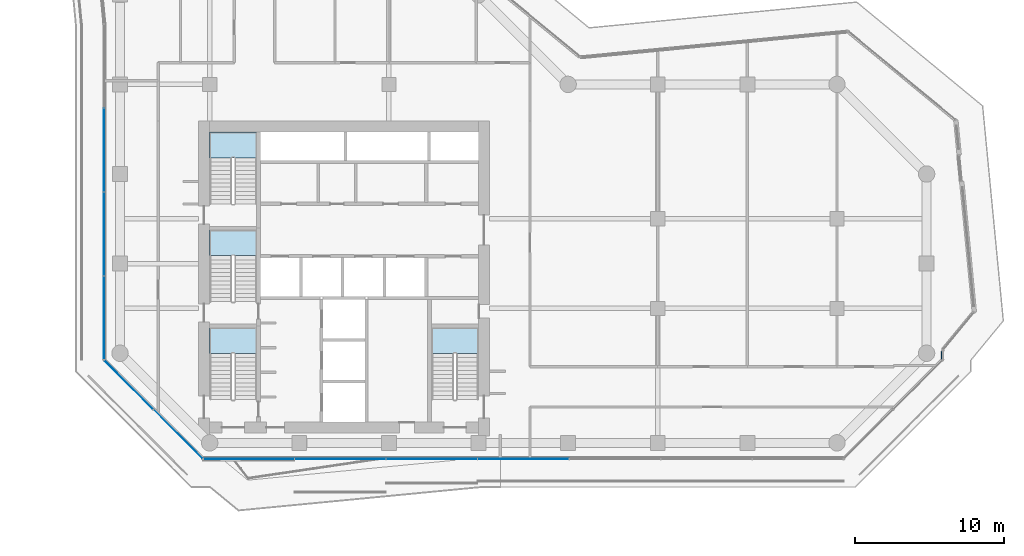
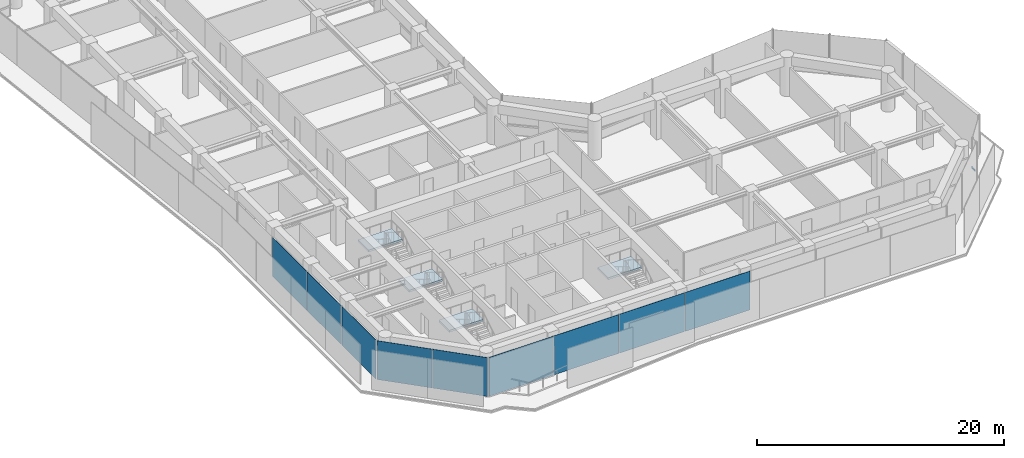
# One storey, part 19 of 28: 9 plates, 4 slabs, 1 member, 8 elements without a shape of their own.
"""IFC4 building model written with IfcOpenShell, lengths in metres."""

from ifc_helpers import new_model, si_unit, direction, frame, origin, origin_2d, place, context, subcontext, project, spatial, polyline, rectangle, outline, extrude, material, layer, layer_set, material_profile, profile_set, type_object, element, aggregate, save


model = new_model("IFC4")

# Units and contexts
model_context = context("Model", 3, precision=1e-05, world=origin(), true_north=direction((0.0, 1.0)))
body_context = subcontext(model_context, "Body", "Model", "MODEL_VIEW")
ifc_project = project(units=[si_unit("LENGTHUNIT", "METRE"), si_unit("AREAUNIT", "SQUARE_METRE"), si_unit("VOLUMEUNIT", "CUBIC_METRE"), si_unit("PLANEANGLEUNIT", "RADIAN"), si_unit("MASSUNIT", "GRAM", prefix="KILO")], contexts=[model_context])

# Site, building, storey
site_placement = place(None, origin())
site = spatial("IfcSite", under=ifc_project, at=site_placement, CompositionType="ELEMENT")
building_placement = place(site_placement, origin())
building = spatial("IfcBuilding", under=site, at=building_placement, Name="Welwitschia Terrace Campus", CompositionType="ELEMENT")
storey_placement = place(building_placement, frame((0.0, 0.0, 87.800048828125)))
storey = spatial("IfcBuildingStorey", under=building, at=storey_placement, Name="L19", CompositionType="ELEMENT", Elevation=87.800048828125)

# Curtain wall, member
ifc_material_1 = material(Name="Bronze anodised aluminium", Category="aluminium")
ifc_layer_1 = layer(ifc_material_1, 0.1201171875)
ifc_layer_set_1 = layer_set([ifc_layer_1], Name="Bronze anodised aluminium")
curtain_wall_type = type_object("IfcCurtainWallType", Name="Curtain wall CW2 tower 6000", PredefinedType="NOTDEFINED", material=ifc_layer_set_1)
curtain_wall_1_placement = place(storey_placement, origin())
curtain_wall_1 = element("IfcCurtainWall", 1, at=curtain_wall_1_placement, inside=storey, type_object=curtain_wall_type, Name="CW L19.5.0", PredefinedType="NOTDEFINED")
ifc_material_2 = material(Name="Bronze anodised aluminium", Category="aluminium")
ifc_material_profile = material_profile(ifc_material_2, rectangle(XDim=0.06005859375, YDim=0.14990234375, at=origin_2d()))
ifc_profile_set = profile_set([ifc_material_profile], Name="Bronze anodised aluminium")
member_type = type_object("IfcMemberType", Name="Transom 60x150", PredefinedType="USERDEFINED", material=ifc_profile_set)
member_placement = place(storey_placement, frame((54.99609375, 9.610107421875, 1.0), z_axis=(0.0, 1.0, 0.0), x_axis=(-1.0, 0.0, 0.0)))
member = element("IfcMember", 2, at=member_placement, type_object=member_type, Name="Transom L19.5.0", ObjectType="TRANSOM", PredefinedType="USERDEFINED", context=body_context, shape_type="SweptSolid", body=[
    extrude(rectangle(XDim=0.06005859375, YDim=0.14990234375, at=origin_2d()), origin(), (0.0, 0.0, 1.0), 0.528564453125),
])
aggregate(curtain_wall_1, [member])

# Curtain wall, plates
curtain_wall_2_placement = place(storey_placement, origin())
curtain_wall_2 = element("IfcCurtainWall", 3, at=curtain_wall_2_placement, inside=storey, type_object=curtain_wall_type, Name="CW L19.1.0", PredefinedType="NOTDEFINED")
ifc_material_3 = material(Name="Tinted bronze-grey glass", Category="glass")
ifc_layer_2 = layer(ifc_material_3, 0.028076171875)
ifc_layer_set_2 = layer_set([ifc_layer_2], Name="Tinted bronze-grey glass")
plate_type = type_object("IfcPlateType", Name="Glass panel 28 tinted", PredefinedType="CURTAIN_PANEL", material=ifc_layer_set_2)
plate_1_placement = place(storey_placement, frame((-1.0859375, 23.60546875, 0.0), z_axis=(0.0, 0.0, 1.0), x_axis=(0.0, -1.0, 0.0)))
plate_1 = element("IfcPlate", 4, at=plate_1_placement, type_object=plate_type, Name="Panel L19.1.0.1", PredefinedType="CURTAIN_PANEL", context=body_context, shape_type="SweptSolid", body=[
    extrude(rectangle(XDim=5.56201171875, YDim=0.028076171875, at=origin_2d()), origin(), (0.0, 0.0, 1.0), 3.85009765625),
])
plate_2_placement = place(storey_placement, frame((-1.0859375, 17.9833984375, 0.0), z_axis=(0.0, 0.0, 1.0), x_axis=(0.0, -1.0, 0.0)))
plate_2 = element("IfcPlate", 5, at=plate_2_placement, type_object=plate_type, Name="Panel L19.1.0.2", PredefinedType="CURTAIN_PANEL", context=body_context, shape_type="SweptSolid", body=[
    extrude(rectangle(XDim=5.56201171875, YDim=0.028076171875, at=origin_2d()), origin(), (0.0, 0.0, 1.0), 3.85009765625),
])
plate_3_placement = place(storey_placement, frame((-1.0859375, 12.376220703125, 0.0), z_axis=(0.0, 0.0, 1.0), x_axis=(0.0, -1.0, 0.0)))
plate_3 = element("IfcPlate", 6, at=plate_3_placement, type_object=plate_type, Name="Panel L19.1.0.3", PredefinedType="CURTAIN_PANEL", context=body_context, shape_type="SweptSolid", body=[
    extrude(rectangle(XDim=5.5322265625, YDim=0.028076171875, at=origin_2d()), origin(), (0.0, 0.0, 1.0), 3.85009765625),
])
aggregate(curtain_wall_2, [plate_1, plate_2, plate_3])

curtain_wall_3_placement = place(storey_placement, origin())
curtain_wall_3 = element("IfcCurtainWall", 7, at=curtain_wall_3_placement, inside=storey, type_object=curtain_wall_type, Name="CW L19.2.0", PredefinedType="NOTDEFINED")
plate_4_placement = place(storey_placement, frame((0.583740234375, 7.880615234375, 0.0), z_axis=(0.0, 0.0, 1.0), x_axis=(0.707106781187, -0.707106781187, 0.0)))
plate_4 = element("IfcPlate", 8, at=plate_4_placement, type_object=plate_type, Name="Panel L19.2.0.0", PredefinedType="CURTAIN_PANEL", context=body_context, shape_type="SweptSolid", body=[
    extrude(rectangle(XDim=4.6025390625, YDim=0.028076171875, at=origin_2d()), origin(), (0.0, 0.0, 1.0), 3.85009765625),
])
plate_5_placement = place(storey_placement, frame((3.880615234375, 4.583740234375, 0.0), z_axis=(0.0, 0.0, 1.0), x_axis=(0.707106781187, -0.707106781187, 0.0)))
plate_5 = element("IfcPlate", 9, at=plate_5_placement, type_object=plate_type, Name="Panel L19.2.0.1", PredefinedType="CURTAIN_PANEL", context=body_context, shape_type="SweptSolid", body=[
    extrude(rectangle(XDim=4.6025390625, YDim=0.028076171875, at=origin_2d()), origin(), (0.0, 0.0, 1.0), 3.85009765625),
])
aggregate(curtain_wall_3, [plate_4, plate_5])

curtain_wall_4_placement = place(storey_placement, origin())
curtain_wall_4 = element("IfcCurtainWall", 10, at=curtain_wall_4_placement, inside=storey, type_object=curtain_wall_type, Name="CW L19.3.0", PredefinedType="NOTDEFINED")
plate_6_placement = place(storey_placement, frame((8.62939453125, 2.9140625, 0.0), z_axis=(0.0, 0.0, 1.0), x_axis=(1.0, 0.0, 0.0)))
plate_6 = element("IfcPlate", 11, at=plate_6_placement, type_object=plate_type, Name="Panel L19.3.0.0", PredefinedType="CURTAIN_PANEL", context=body_context, shape_type="SweptSolid", body=[
    extrude(rectangle(XDim=6.03857421875, YDim=0.028076171875, at=origin_2d()), origin(), (0.0, 0.0, 1.0), 3.85009765625),
])
plate_7_placement = place(storey_placement, frame((14.742919921875, 2.9140625, 0.0), z_axis=(0.0, 0.0, 1.0), x_axis=(1.0, 0.0, 0.0)))
plate_7 = element("IfcPlate", 12, at=plate_7_placement, type_object=plate_type, Name="Panel L19.3.0.1", PredefinedType="CURTAIN_PANEL", context=body_context, shape_type="SweptSolid", body=[
    extrude(rectangle(XDim=6.068603515625, YDim=0.028076171875, at=origin_2d()), origin(), (0.0, 0.0, 1.0), 3.85009765625),
])
plate_8_placement = place(storey_placement, frame((20.87158203125, 2.9140625, 0.0), z_axis=(0.0, 0.0, 1.0), x_axis=(1.0, 0.0, 0.0)))
plate_8 = element("IfcPlate", 13, at=plate_8_placement, type_object=plate_type, Name="Panel L19.3.0.2", PredefinedType="CURTAIN_PANEL", context=body_context, shape_type="SweptSolid", body=[
    extrude(rectangle(XDim=6.068603515625, YDim=0.028076171875, at=origin_2d()), origin(), (0.0, 0.0, 1.0), 3.85009765625),
])
plate_9_placement = place(storey_placement, frame((27.0, 2.9140625, 0.0), z_axis=(0.0, 0.0, 1.0), x_axis=(1.0, 0.0, 0.0)))
plate_9 = element("IfcPlate", 14, at=plate_9_placement, type_object=plate_type, Name="Panel L19.3.0.3", PredefinedType="CURTAIN_PANEL", context=body_context, shape_type="SweptSolid", body=[
    extrude(rectangle(XDim=6.068603515625, YDim=0.028076171875, at=origin_2d()), origin(), (0.0, 0.0, 1.0), 3.85009765625),
])
aggregate(curtain_wall_4, [plate_6, plate_7, plate_8, plate_9])

# Stair, slab
ifc_material_4 = material(Name="Concrete C40/50", Category="concrete")
stair_type = type_object("IfcStairType", Name="Stair 24R 175 W1500", PredefinedType="HALF_TURN_STAIR", material=ifc_material_4)
stair_1_placement = place(storey_placement, origin())
stair_1 = element("IfcStair", 15, at=stair_1_placement, inside=storey, type_object=stair_type, Name="L19 Exit stair S1", PredefinedType="HALF_TURN_STAIR")
ifc_material_5 = material(Name="Concrete C40/50", Category="concrete")
ifc_layer_3 = layer(ifc_material_5, 0.199951171875)
ifc_layer_set_3 = layer_set([ifc_layer_3], Name="Concrete C40/50")
slab_type = type_object("IfcSlabType", Name="Stair landing RC", PredefinedType="LANDING", material=ifc_layer_set_3)
slab_1_placement = place(storey_placement, frame((0.0, 0.0, 1.89990234375)))
slab_1 = element("IfcSlab", 16, at=slab_1_placement, type_object=slab_type, Name="S1 landing 1", PredefinedType="LANDING", context=body_context, shape_type="SweptSolid", body=[
    extrude(outline(polyline([(9.14990234375, 9.97998046875), (9.14990234375, 11.699951171875), (6.0, 11.699951171875), (6.0, 9.97998046875), (9.14990234375, 9.97998046875)])), origin(), (0.0, 0.0, 1.0), 0.199951171875),
])
aggregate(stair_1, [slab_1])

stair_2_placement = place(storey_placement, origin())
stair_2 = element("IfcStair", 17, at=stair_2_placement, inside=storey, type_object=stair_type, Name="L19 Exit stair S3", PredefinedType="HALF_TURN_STAIR")
slab_2_placement = place(storey_placement, frame((0.0, 0.0, 1.89990234375)))
slab_2 = element("IfcSlab", 18, at=slab_2_placement, type_object=slab_type, Name="S3 landing 1", PredefinedType="LANDING", context=body_context, shape_type="SweptSolid", body=[
    extrude(outline(polyline([(9.14990234375, 16.530029296875), (9.14990234375, 18.25), (6.0, 18.25), (6.0, 16.530029296875), (9.14990234375, 16.530029296875)])), origin(), (0.0, 0.0, 1.0), 0.199951171875),
])
aggregate(stair_2, [slab_2])

stair_3_placement = place(storey_placement, origin())
stair_3 = element("IfcStair", 19, at=stair_3_placement, inside=storey, type_object=stair_type, Name="L19 Exit stair S4", PredefinedType="HALF_TURN_STAIR")
slab_3_placement = place(storey_placement, frame((0.0, 0.0, 1.89990234375)))
slab_3 = element("IfcSlab", 20, at=slab_3_placement, type_object=slab_type, Name="S4 landing 1", PredefinedType="LANDING", context=body_context, shape_type="SweptSolid", body=[
    extrude(outline(polyline([(9.14990234375, 23.080078125), (9.14990234375, 24.800048828125), (6.0, 24.800048828125), (6.0, 23.080078125), (9.14990234375, 23.080078125)])), origin(), (0.0, 0.0, 1.0), 0.199951171875),
])
aggregate(stair_3, [slab_3])

stair_4_placement = place(storey_placement, origin())
stair_4 = element("IfcStair", 21, at=stair_4_placement, inside=storey, type_object=stair_type, Name="L19 Exit stair S2", PredefinedType="HALF_TURN_STAIR")
slab_4_placement = place(storey_placement, frame((0.0, 0.0, 1.89990234375)))
slab_4 = element("IfcSlab", 22, at=slab_4_placement, type_object=slab_type, Name="S2 landing 1", PredefinedType="LANDING", context=body_context, shape_type="SweptSolid", body=[
    extrude(outline(polyline([(24.0, 9.97998046875), (24.0, 11.699951171875), (20.85009765625, 11.699951171875), (20.85009765625, 9.97998046875), (24.0, 9.97998046875)])), origin(), (0.0, 0.0, 1.0), 0.199951171875),
])
aggregate(stair_4, [slab_4])

save(model, "model.ifc")
